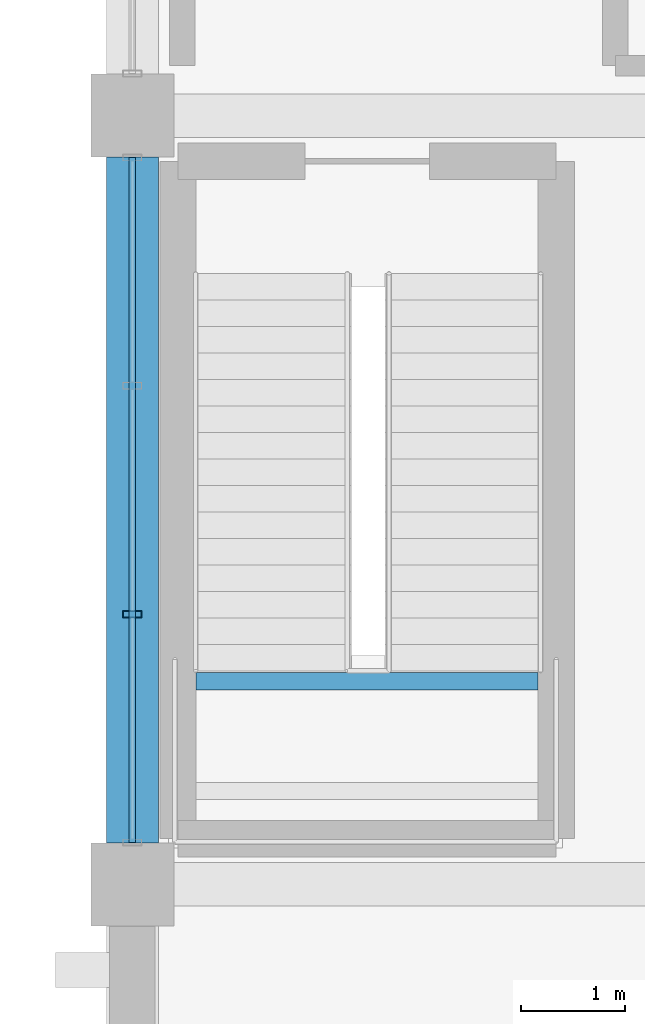
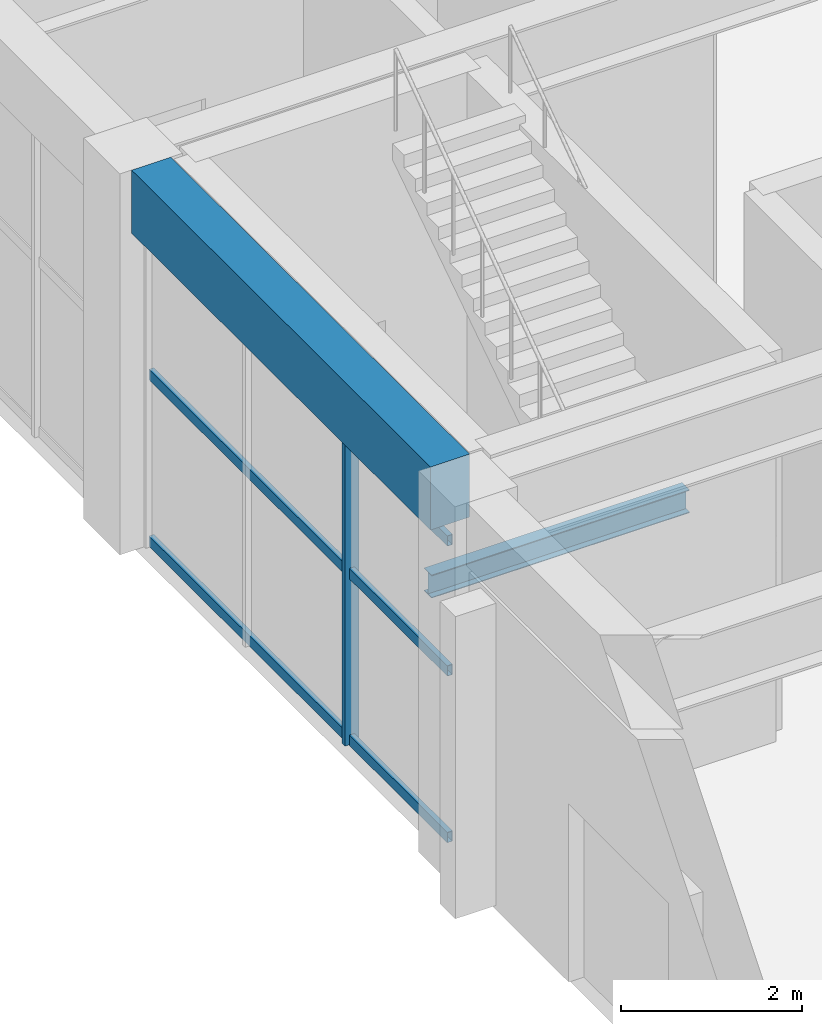
# One storey, part 40 of 140: 4 members, 2 beams, 1 element without a shape of its own.
"""IFC4 building model written with IfcOpenShell, lengths in metres."""

import ifcopenshell
import ifcopenshell.guid

model = None  # the IFC model being written
_history = None  # IfcOwnerHistory: only IFC2X3 demands one
_inside = {}  # id of a spatial element -> (the spatial element, [elements in it])
_under = {}  # id of a project, library or spatial element -> (it, [spatial elements below it])
_declared = {}  # id of a project -> (the project, [libraries it declares])
_typed = {}  # id of a type object -> (the type object, [elements of that type])
_made_of = {}  # id of a material, layer set ... -> (it, [elements and type objects made of it])


def new_model(schema):
    """Start an empty IFC model of exactly this schema.

    Asked for "IFC4X3", IfcOpenShell would pick the latest addendum, in which some entities
    have other attributes; the version numbers below select the first issue.
    IFC2X3 requires an IfcOwnerHistory on every rooted entity: one is made here for all.
    """
    global model, _history
    if schema == "IFC4X3":
        model = ifcopenshell.file(schema_version=(4, 3, 0, 0))
    else:
        model = ifcopenshell.file(schema=schema)
    _inside.clear()
    _under.clear()
    _declared.clear()
    _typed.clear()
    _made_of.clear()
    _history = None
    if model.schema == "IFC2X3":
        org = make("IfcOrganization", Name="unknown")
        user = make(
            "IfcPersonAndOrganization",
            ThePerson=make("IfcPerson", FamilyName="unknown"),
            TheOrganization=org,
        )
        app = make(
            "IfcApplication",
            ApplicationDeveloper=org,
            Version="unknown",
            ApplicationFullName="unknown",
            ApplicationIdentifier="unknown",
        )
        _history = make(
            "IfcOwnerHistory",
            OwningUser=user,
            OwningApplication=app,
            ChangeAction="ADDED",
            CreationDate=0,
        )
    return model


def make(cls, **values):
    """One entity of the class cls with the attributes given. An attribute that is None is left unset."""
    return model.create_entity(
        cls, **{name: value for name, value in values.items() if value is not None}
    )


def rooted(cls, **values):
    """An entity with a GlobalId (a new one), such as an element, a storey or a relation."""
    return make(cls, GlobalId=ifcopenshell.guid.new(), OwnerHistory=_history, **values)


def si_unit(unit_type, name, prefix=None):
    """IfcSIUnit, for example si_unit("LENGTHUNIT", "METRE", prefix="MILLI")."""
    return make("IfcSIUnit", UnitType=unit_type, Prefix=prefix, Name=name)


def assignment(units):
    """IfcUnitAssignment: the units of a project."""
    return None if units is None else make("IfcUnitAssignment", Units=units)


def point(xyz):
    """IfcCartesianPoint."""
    return None if xyz is None else make("IfcCartesianPoint", Coordinates=xyz)


def direction(xyz):
    """IfcDirection."""
    return None if xyz is None else make("IfcDirection", DirectionRatios=xyz)


def frame(location, z_axis=None, x_axis=None):
    """IfcAxis2Placement3D, a coordinate frame: its origin and axes. An axis left out is left unset."""
    return make(
        "IfcAxis2Placement3D",
        Location=point(location),
        Axis=direction(z_axis),
        RefDirection=direction(x_axis),
    )


def frame_2d(location, x_axis=None):
    """IfcAxis2Placement2D, a coordinate frame in the plane: its origin and x axis."""
    return make(
        "IfcAxis2Placement2D", Location=point(location), RefDirection=direction(x_axis)
    )


def origin():
    """The frame at (0, 0, 0) with its axes left unset."""
    return frame((0.0, 0.0, 0.0))


def origin_2d():
    """The frame at (0, 0) in the plane with its x axis left unset."""
    return frame_2d((0.0, 0.0))


def place(relative_to, where):
    """IfcLocalPlacement: puts the frame where relative to a parent placement (None: the world)."""
    return make(
        "IfcLocalPlacement", PlacementRelTo=relative_to, RelativePlacement=where
    )


def context(
    kind, dimensions, precision=None, world=None, true_north=None, identifier=None
):
    """IfcGeometricRepresentationContext, for example the 3D "Model" context."""
    return make(
        "IfcGeometricRepresentationContext",
        ContextIdentifier=identifier,
        ContextType=kind,
        CoordinateSpaceDimension=dimensions,
        Precision=precision,
        WorldCoordinateSystem=world,
        TrueNorth=true_north,
    )


def subcontext(parent, identifier, kind, view, scale=None):
    """IfcGeometricRepresentationSubContext, for example "Body" below "Model"."""
    return make(
        "IfcGeometricRepresentationSubContext",
        ContextIdentifier=identifier,
        ContextType=kind,
        ParentContext=parent,
        TargetScale=scale,
        TargetView=view,
    )


def project(units=None, contexts=None):
    """IfcProject with its units and contexts."""
    return rooted(
        "IfcProject",
        Name="project",
        RepresentationContexts=contexts,
        UnitsInContext=assignment(units),
    )


def spatial(cls, under=None, at=None, **own):
    """A site, building, storey or space (cls), placed at a placement, below another one or the project."""
    s = rooted(cls, ObjectPlacement=at, **own)
    if under is not None:
        _under.setdefault(under.id(), (under, []))[1].append(s)
    return s


def profile(cls, at=None, kind="AREA", **sizes):
    """A parametric profile (cls). Its sizes go by their IFC names, for example OverallWidth=200.0."""
    return make(cls, ProfileType=kind, Position=at, **sizes)


def rectangle(**sizes):
    """IfcRectangleProfileDef."""
    return profile("IfcRectangleProfileDef", **sizes)


def hollow_rectangle(**sizes):
    """IfcRectangleHollowProfileDef."""
    return profile("IfcRectangleHollowProfileDef", **sizes)


def i_section(**sizes):
    """IfcIShapeProfileDef."""
    return profile("IfcIShapeProfileDef", **sizes)


def extrude(swept, where, along, depth):
    """IfcExtrudedAreaSolid: the profile swept, set in the frame where, extruded along a direction by depth."""
    return make(
        "IfcExtrudedAreaSolid",
        SweptArea=swept,
        Position=where,
        ExtrudedDirection=direction(along),
        Depth=depth,
    )


def shape(context_of_items, identifier, shape_type, items):
    """IfcShapeRepresentation: the items that make up one representation, for example the "Body"."""
    return make(
        "IfcShapeRepresentation",
        ContextOfItems=context_of_items,
        RepresentationIdentifier=identifier,
        RepresentationType=shape_type,
        Items=items,
    )


def material(Name=None, Category=None):
    """IfcMaterial."""
    return make("IfcMaterial", Name=Name, Category=Category)


def material_profile(
    of_material, cross_section, Name=None, Category=None, Priority=None
):
    """IfcMaterialProfile: a cross section and its material."""
    return make(
        "IfcMaterialProfile",
        Name=Name,
        Material=of_material,
        Profile=cross_section,
        Priority=Priority,
        Category=Category,
    )


def profile_set(profiles, Name=None, composite=None):
    """IfcMaterialProfileSet."""
    return make(
        "IfcMaterialProfileSet",
        Name=Name,
        MaterialProfiles=profiles,
        CompositeProfile=composite,
    )


def made_of(thing, what):
    """Note that an element or type object is made of a material, layer set ...; save() writes the relation."""
    if what is not None:
        _made_of.setdefault(what.id(), (what, []))[1].append(thing)
    return thing


def type_object(cls, material=None, **own):
    """A type object (cls), such as IfcWallType, which elements share."""
    return made_of(rooted(cls, **own), material)


def element(
    cls,
    number,
    at=None,
    inside=None,
    cuts=None,
    type_object=None,
    material=None,
    context=None,
    identifier="Body",
    shape_type=None,
    held_by="IfcProductDefinitionShape",
    body=None,
    shapes=None,
    **own,
):
    """One element of the class cls, such as IfcWall. Its Tag is "e" and its number.

    at: its placement. inside: the storey or other place that contains it. cuts: it is an
    opening in that element (IfcRelVoidsElement). A single representation is given by context,
    identifier, shape_type and body (its items); several are given by shapes. held_by: the class
    of the entity that holds the representations. save() writes the other relations.
    """
    e = rooted(cls, Tag="e%d" % number, ObjectPlacement=at, **own)
    if body is not None:
        shapes = [shape(context, identifier, shape_type, body)]
    if shapes is not None:
        e.Representation = make(held_by, Representations=shapes)
    if inside is not None:
        _inside.setdefault(inside.id(), (inside, []))[1].append(e)
    if cuts is not None:
        rooted(
            "IfcRelVoidsElement", RelatingBuildingElement=cuts, RelatedOpeningElement=e
        )
    if type_object is not None:
        _typed.setdefault(type_object.id(), (type_object, []))[1].append(e)
    return made_of(e, material)


def aggregate(whole, parts):
    """IfcRelAggregates: a whole, such as a stair, and the parts it consists of."""
    return rooted("IfcRelAggregates", RelatingObject=whole, RelatedObjects=parts)


def save(model, path):
    """Write the relations noted so far, then the file.

    IfcRelAggregates (storeys below a building ...), IfcRelContainedInSpatialStructure (elements
    in a storey), IfcRelDefinesByType, IfcRelAssociatesMaterial and IfcRelDeclares: one each for
    every whole, place, type object, material and project.
    """
    for whole, parts in _under.values():
        aggregate(whole, parts)
    for where, things in _inside.values():
        rooted(
            "IfcRelContainedInSpatialStructure",
            RelatedElements=things,
            RelatingStructure=where,
        )
    for kind, things in _typed.values():
        rooted("IfcRelDefinesByType", RelatedObjects=things, RelatingType=kind)
    for what, things in _made_of.values():
        rooted("IfcRelAssociatesMaterial", RelatedObjects=things, RelatingMaterial=what)
    for by, libraries in _declared.values():
        rooted("IfcRelDeclares", RelatingContext=by, RelatedDefinitions=libraries)
    model.write(path)


model = new_model("IFC4")

# Units and contexts
model_context = context("Model", 3, precision=1e-05, world=origin(), true_north=direction((0.0, 1.0)))
body_context = subcontext(model_context, "Body", "Model", "MODEL_VIEW")
ifc_project = project(units=[si_unit("LENGTHUNIT", "METRE"), si_unit("AREAUNIT", "SQUARE_METRE"), si_unit("VOLUMEUNIT", "CUBIC_METRE"), si_unit("PLANEANGLEUNIT", "RADIAN"), si_unit("MASSUNIT", "GRAM", prefix="KILO")], contexts=[model_context])

# Site, building, storey
site_placement = place(None, origin())
site = spatial("IfcSite", under=ifc_project, at=site_placement, CompositionType="ELEMENT")
building_placement = place(site_placement, origin())
building = spatial("IfcBuilding", under=site, at=building_placement, Name="Cimatlan Art Gallery", CompositionType="ELEMENT")
storey_placement = place(building_placement, origin())
storey = spatial("IfcBuildingStorey", under=building, at=storey_placement, Name="L00", CompositionType="ELEMENT", Elevation=0.0)

# Beams
ifc_material_1 = material(Name="Concrete C40/50", Category="concrete")
ifc_material_profile_1 = material_profile(ifc_material_1, rectangle(XDim=0.5, YDim=0.85009765625, at=origin_2d()), Name="RC500X850")
ifc_profile_set_1 = profile_set([ifc_material_profile_1], Name="Concrete C40/50")
beam_type_1 = type_object("IfcBeamType", Name="BM-RC-500X850", PredefinedType="BEAM", material=ifc_profile_set_1)
beam_1_placement = place(storey_placement, frame((74.89990234375, 61.300048828125, 4.7099609375), z_axis=(0.0, 1.0, 0.0), x_axis=(-1.0, 0.0, 0.0)))
element("IfcBeam", 1, at=beam_1_placement, inside=storey, type_object=beam_type_1, Name="BM-Y-L00-09-08", PredefinedType="BEAM", context=body_context, shape_type="SweptSolid", body=[
    extrude(rectangle(XDim=0.5, YDim=0.85009765625, at=origin_2d()), origin(), (0.0, 0.0, 1.0), 6.599853515625),
])
ifc_material_2 = material(Name="Steel ASTM A992 Grade 50", Category="steel")
ifc_material_profile_2 = material_profile(ifc_material_2, i_section(OverallWidth=0.1650390625, OverallDepth=0.31005859375, WebThickness=0.005859375, FlangeThickness=0.009765625, at=origin_2d()), Name="W12X26")
ifc_profile_set_2 = profile_set([ifc_material_profile_2], Name="Steel ASTM A992 Grade 50")
beam_type_2 = type_object("IfcBeamType", Name="BM-STL-W12X26", PredefinedType="JOIST", material=ifc_profile_set_2)
beam_2_placement = place(storey_placement, frame((75.514892578125, 62.85498046875, 2.324951171875), z_axis=(1.0, 0.0, 0.0), x_axis=(0.0, 1.0, 0.0)))
element("IfcBeam", 2, at=beam_2_placement, inside=storey, type_object=beam_type_2, Name="BM-STR-C6-L00-LH2", PredefinedType="JOIST", context=body_context, shape_type="SweptSolid", body=[
    extrude(i_section(OverallWidth=0.1650390625, OverallDepth=0.31005859375, WebThickness=0.005859375, FlangeThickness=0.009765625, at=origin_2d()), origin(), (0.0, 0.0, 1.0), 3.2900390625),
])

# Curtain wall, members
ifc_material_3 = material(Name="Anodised bronze unitised curtain wall")
curtain_wall_type = type_object("IfcCurtainWallType", Name="CW-V-06592X04118-B3", PredefinedType="NOTDEFINED", material=ifc_material_3)
curtain_wall_placement = place(storey_placement, origin())
curtain_wall = element("IfcCurtainWall", 3, at=curtain_wall_placement, inside=storey, type_object=curtain_wall_type, Name="CW-L00-09-08-W", PredefinedType="NOTDEFINED")
ifc_material_4 = material(Name="Anodised bronze aluminium 6063-T6", Category="aluminium")
ifc_material_profile_3 = material_profile(ifc_material_4, hollow_rectangle(XDim=0.06494140625, YDim=0.179931640625, WallThickness=0.00390625, at=origin_2d()), Name="ALU65X180X4")
ifc_profile_set_3 = profile_set([ifc_material_profile_3], Name="Anodised bronze aluminium 6063-T6")
member_type_1 = type_object("IfcMemberType", Name="CW-MUL-180", PredefinedType="MULLION", material=ifc_profile_set_3)
member_1_placement = place(storey_placement, frame((74.89990234375, 63.501220703125, 0.0), z_axis=(0.0, 0.0, 1.0), x_axis=(0.0, 1.0, 0.0)))
member_1 = element("IfcMember", 4, at=member_1_placement, type_object=member_type_1, Name="CW-L00-09-08-W-M2", PredefinedType="MULLION", context=body_context, shape_type="SweptSolid", body=[
    extrude(hollow_rectangle(XDim=0.06494140625, YDim=0.179931640625, WallThickness=0.00390625, at=origin_2d()), origin(), (0.0, 0.0, 1.0), 4.117919921875),
])
ifc_material_profile_4 = material_profile(ifc_material_4, hollow_rectangle(XDim=0.06494140625, YDim=0.139892578125, WallThickness=0.00390625, at=origin_2d()), Name="ALU65X140X4")
ifc_profile_set_4 = profile_set([ifc_material_profile_4], Name="Anodised bronze aluminium 6063-T6")
member_type_2 = type_object("IfcMemberType", Name="CW-TRN-140", PredefinedType="USERDEFINED", material=ifc_profile_set_4)
member_2_placement = place(storey_placement, frame((74.89990234375, 61.303955078125, 0.06005859375), z_axis=(0.0, 1.0, 0.0), x_axis=(-1.0, 0.0, 0.0)))
member_2 = element("IfcMember", 5, at=member_2_placement, type_object=member_type_2, Name="CW-L00-09-08-W-T1", ObjectType="TRANSOM", PredefinedType="USERDEFINED", context=body_context, shape_type="SweptSolid", body=[
    extrude(hollow_rectangle(XDim=0.06494140625, YDim=0.139892578125, WallThickness=0.00390625, at=origin_2d()), origin(), (0.0, 0.0, 1.0), 6.592041015625),
])
member_3_placement = place(storey_placement, frame((74.89990234375, 61.303955078125, 2.30615234375), z_axis=(0.0, 1.0, 0.0), x_axis=(-1.0, 0.0, 0.0)))
member_3 = element("IfcMember", 6, at=member_3_placement, type_object=member_type_2, Name="CW-L00-09-08-W-T2", ObjectType="TRANSOM", PredefinedType="USERDEFINED", context=body_context, shape_type="SweptSolid", body=[
    extrude(hollow_rectangle(XDim=0.06494140625, YDim=0.139892578125, WallThickness=0.00390625, at=origin_2d()), origin(), (0.0, 0.0, 1.0), 6.592041015625),
])
member_4_placement = place(storey_placement, frame((74.89990234375, 61.303955078125, 4.05810546875), z_axis=(0.0, 1.0, 0.0), x_axis=(-1.0, 0.0, 0.0)))
member_4 = element("IfcMember", 7, at=member_4_placement, type_object=member_type_2, Name="CW-L00-09-08-W-T3", ObjectType="TRANSOM", PredefinedType="USERDEFINED", context=body_context, shape_type="SweptSolid", body=[
    extrude(hollow_rectangle(XDim=0.06494140625, YDim=0.139892578125, WallThickness=0.00390625, at=origin_2d()), origin(), (0.0, 0.0, 1.0), 6.592041015625),
])
aggregate(curtain_wall, [member_1, member_2, member_3, member_4])

save(model, "model.ifc")
